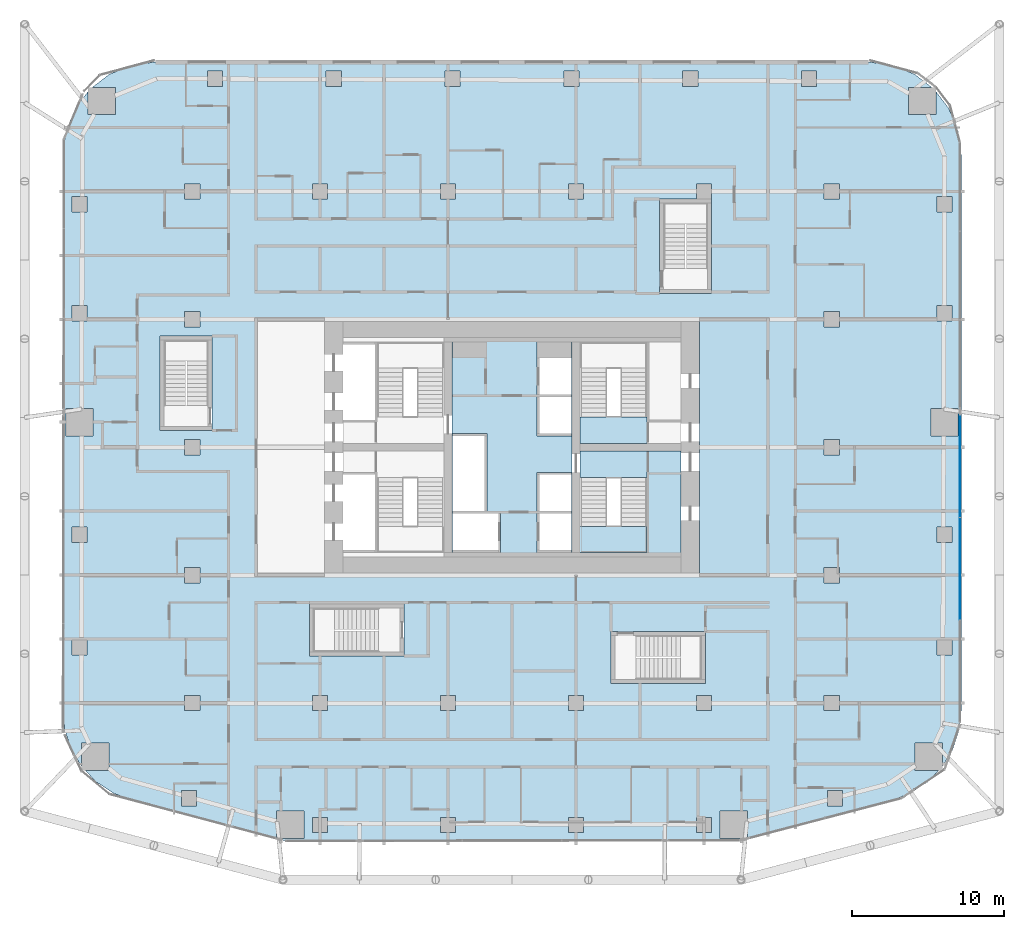
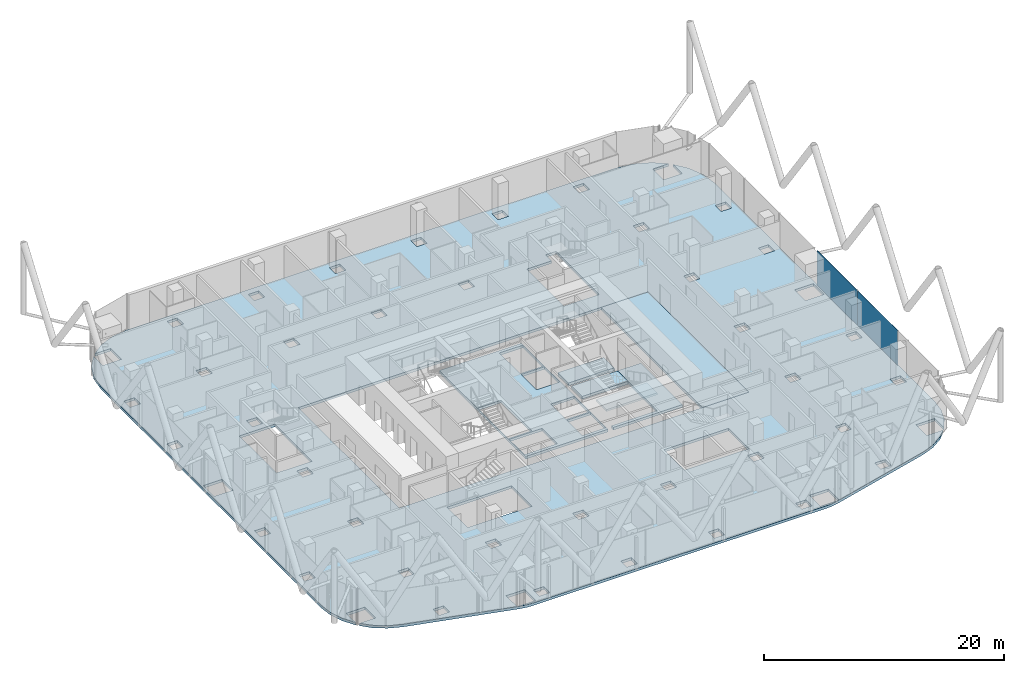
# One storey, part 23 of 38: 7 slabs, 2 plates, 2 elements without a shape of their own.
"""IFC4 building model written with IfcOpenShell, lengths in metres."""

import ifcopenshell
import ifcopenshell.guid

model = None  # the IFC model being written
_history = None  # IfcOwnerHistory: only IFC2X3 demands one
_inside = {}  # id of a spatial element -> (the spatial element, [elements in it])
_under = {}  # id of a project, library or spatial element -> (it, [spatial elements below it])
_declared = {}  # id of a project -> (the project, [libraries it declares])
_typed = {}  # id of a type object -> (the type object, [elements of that type])
_made_of = {}  # id of a material, layer set ... -> (it, [elements and type objects made of it])


def new_model(schema):
    """Start an empty IFC model of exactly this schema.

    Asked for "IFC4X3", IfcOpenShell would pick the latest addendum, in which some entities
    have other attributes; the version numbers below select the first issue.
    IFC2X3 requires an IfcOwnerHistory on every rooted entity: one is made here for all.
    """
    global model, _history
    if schema == "IFC4X3":
        model = ifcopenshell.file(schema_version=(4, 3, 0, 0))
    else:
        model = ifcopenshell.file(schema=schema)
    _inside.clear()
    _under.clear()
    _declared.clear()
    _typed.clear()
    _made_of.clear()
    _history = None
    if model.schema == "IFC2X3":
        org = make("IfcOrganization", Name="unknown")
        user = make(
            "IfcPersonAndOrganization",
            ThePerson=make("IfcPerson", FamilyName="unknown"),
            TheOrganization=org,
        )
        app = make(
            "IfcApplication",
            ApplicationDeveloper=org,
            Version="unknown",
            ApplicationFullName="unknown",
            ApplicationIdentifier="unknown",
        )
        _history = make(
            "IfcOwnerHistory",
            OwningUser=user,
            OwningApplication=app,
            ChangeAction="ADDED",
            CreationDate=0,
        )
    return model


def make(cls, **values):
    """One entity of the class cls with the attributes given. An attribute that is None is left unset."""
    return model.create_entity(
        cls, **{name: value for name, value in values.items() if value is not None}
    )


def rooted(cls, **values):
    """An entity with a GlobalId (a new one), such as an element, a storey or a relation."""
    return make(cls, GlobalId=ifcopenshell.guid.new(), OwnerHistory=_history, **values)


def si_unit(unit_type, name, prefix=None):
    """IfcSIUnit, for example si_unit("LENGTHUNIT", "METRE", prefix="MILLI")."""
    return make("IfcSIUnit", UnitType=unit_type, Prefix=prefix, Name=name)


def assignment(units):
    """IfcUnitAssignment: the units of a project."""
    return None if units is None else make("IfcUnitAssignment", Units=units)


def point(xyz):
    """IfcCartesianPoint."""
    return None if xyz is None else make("IfcCartesianPoint", Coordinates=xyz)


def direction(xyz):
    """IfcDirection."""
    return None if xyz is None else make("IfcDirection", DirectionRatios=xyz)


def frame(location, z_axis=None, x_axis=None):
    """IfcAxis2Placement3D, a coordinate frame: its origin and axes. An axis left out is left unset."""
    return make(
        "IfcAxis2Placement3D",
        Location=point(location),
        Axis=direction(z_axis),
        RefDirection=direction(x_axis),
    )


def frame_2d(location, x_axis=None):
    """IfcAxis2Placement2D, a coordinate frame in the plane: its origin and x axis."""
    return make(
        "IfcAxis2Placement2D", Location=point(location), RefDirection=direction(x_axis)
    )


def origin():
    """The frame at (0, 0, 0) with its axes left unset."""
    return frame((0.0, 0.0, 0.0))


def origin_2d():
    """The frame at (0, 0) in the plane with its x axis left unset."""
    return frame_2d((0.0, 0.0))


def place(relative_to, where):
    """IfcLocalPlacement: puts the frame where relative to a parent placement (None: the world)."""
    return make(
        "IfcLocalPlacement", PlacementRelTo=relative_to, RelativePlacement=where
    )


def context(
    kind, dimensions, precision=None, world=None, true_north=None, identifier=None
):
    """IfcGeometricRepresentationContext, for example the 3D "Model" context."""
    return make(
        "IfcGeometricRepresentationContext",
        ContextIdentifier=identifier,
        ContextType=kind,
        CoordinateSpaceDimension=dimensions,
        Precision=precision,
        WorldCoordinateSystem=world,
        TrueNorth=true_north,
    )


def subcontext(parent, identifier, kind, view, scale=None):
    """IfcGeometricRepresentationSubContext, for example "Body" below "Model"."""
    return make(
        "IfcGeometricRepresentationSubContext",
        ContextIdentifier=identifier,
        ContextType=kind,
        ParentContext=parent,
        TargetScale=scale,
        TargetView=view,
    )


def project(units=None, contexts=None):
    """IfcProject with its units and contexts."""
    return rooted(
        "IfcProject",
        Name="project",
        RepresentationContexts=contexts,
        UnitsInContext=assignment(units),
    )


def spatial(cls, under=None, at=None, **own):
    """A site, building, storey or space (cls), placed at a placement, below another one or the project."""
    s = rooted(cls, ObjectPlacement=at, **own)
    if under is not None:
        _under.setdefault(under.id(), (under, []))[1].append(s)
    return s


def polyline(points):
    """IfcPolyline through the points."""
    return make("IfcPolyline", Points=[point(p) for p in points])


def profile(cls, at=None, kind="AREA", **sizes):
    """A parametric profile (cls). Its sizes go by their IFC names, for example OverallWidth=200.0."""
    return make(cls, ProfileType=kind, Position=at, **sizes)


def rectangle(**sizes):
    """IfcRectangleProfileDef."""
    return profile("IfcRectangleProfileDef", **sizes)


def outline(outer, holes=None, kind="AREA"):
    """IfcArbitraryClosedProfileDef: a profile drawn as a closed curve; with holes, ...WithVoids."""
    if holes is None:
        return make("IfcArbitraryClosedProfileDef", ProfileType=kind, OuterCurve=outer)
    return make(
        "IfcArbitraryProfileDefWithVoids",
        ProfileType=kind,
        OuterCurve=outer,
        InnerCurves=holes,
    )


def extrude(swept, where, along, depth):
    """IfcExtrudedAreaSolid: the profile swept, set in the frame where, extruded along a direction by depth."""
    return make(
        "IfcExtrudedAreaSolid",
        SweptArea=swept,
        Position=where,
        ExtrudedDirection=direction(along),
        Depth=depth,
    )


def shape(context_of_items, identifier, shape_type, items):
    """IfcShapeRepresentation: the items that make up one representation, for example the "Body"."""
    return make(
        "IfcShapeRepresentation",
        ContextOfItems=context_of_items,
        RepresentationIdentifier=identifier,
        RepresentationType=shape_type,
        Items=items,
    )


def material(Name=None, Category=None):
    """IfcMaterial."""
    return make("IfcMaterial", Name=Name, Category=Category)


def layer(
    of_material, thickness, ventilated=None, Name=None, Category=None, Priority=None
):
    """IfcMaterialLayer: one layer of a wall or slab, of a material (None: an air gap)."""
    return make(
        "IfcMaterialLayer",
        Material=of_material,
        LayerThickness=thickness,
        IsVentilated=ventilated,
        Name=Name,
        Category=Category,
        Priority=Priority,
    )


def layer_set(layers, Name=None):
    """IfcMaterialLayerSet."""
    return make("IfcMaterialLayerSet", MaterialLayers=layers, LayerSetName=Name)


def made_of(thing, what):
    """Note that an element or type object is made of a material, layer set ...; save() writes the relation."""
    if what is not None:
        _made_of.setdefault(what.id(), (what, []))[1].append(thing)
    return thing


def type_object(cls, material=None, **own):
    """A type object (cls), such as IfcWallType, which elements share."""
    return made_of(rooted(cls, **own), material)


def element(
    cls,
    number,
    at=None,
    inside=None,
    cuts=None,
    type_object=None,
    material=None,
    context=None,
    identifier="Body",
    shape_type=None,
    held_by="IfcProductDefinitionShape",
    body=None,
    shapes=None,
    **own,
):
    """One element of the class cls, such as IfcWall. Its Tag is "e" and its number.

    at: its placement. inside: the storey or other place that contains it. cuts: it is an
    opening in that element (IfcRelVoidsElement). A single representation is given by context,
    identifier, shape_type and body (its items); several are given by shapes. held_by: the class
    of the entity that holds the representations. save() writes the other relations.
    """
    e = rooted(cls, Tag="e%d" % number, ObjectPlacement=at, **own)
    if body is not None:
        shapes = [shape(context, identifier, shape_type, body)]
    if shapes is not None:
        e.Representation = make(held_by, Representations=shapes)
    if inside is not None:
        _inside.setdefault(inside.id(), (inside, []))[1].append(e)
    if cuts is not None:
        rooted(
            "IfcRelVoidsElement", RelatingBuildingElement=cuts, RelatedOpeningElement=e
        )
    if type_object is not None:
        _typed.setdefault(type_object.id(), (type_object, []))[1].append(e)
    return made_of(e, material)


def aggregate(whole, parts):
    """IfcRelAggregates: a whole, such as a stair, and the parts it consists of."""
    return rooted("IfcRelAggregates", RelatingObject=whole, RelatedObjects=parts)


def save(model, path):
    """Write the relations noted so far, then the file.

    IfcRelAggregates (storeys below a building ...), IfcRelContainedInSpatialStructure (elements
    in a storey), IfcRelDefinesByType, IfcRelAssociatesMaterial and IfcRelDeclares: one each for
    every whole, place, type object, material and project.
    """
    for whole, parts in _under.values():
        aggregate(whole, parts)
    for where, things in _inside.values():
        rooted(
            "IfcRelContainedInSpatialStructure",
            RelatedElements=things,
            RelatingStructure=where,
        )
    for kind, things in _typed.values():
        rooted("IfcRelDefinesByType", RelatedObjects=things, RelatingType=kind)
    for what, things in _made_of.values():
        rooted("IfcRelAssociatesMaterial", RelatedObjects=things, RelatingMaterial=what)
    for by, libraries in _declared.values():
        rooted("IfcRelDeclares", RelatingContext=by, RelatedDefinitions=libraries)
    model.write(path)


model = new_model("IFC4")

# Units and contexts
model_context = context("Model", 3, precision=1e-05, world=origin(), true_north=direction((0.0, 1.0)))
body_context = subcontext(model_context, "Body", "Model", "MODEL_VIEW")
ifc_project = project(units=[si_unit("LENGTHUNIT", "METRE"), si_unit("AREAUNIT", "SQUARE_METRE"), si_unit("VOLUMEUNIT", "CUBIC_METRE"), si_unit("PLANEANGLEUNIT", "RADIAN"), si_unit("MASSUNIT", "GRAM", prefix="KILO")], contexts=[model_context])

# Site, building, storey
site_placement = place(None, origin())
site = spatial("IfcSite", under=ifc_project, at=site_placement, CompositionType="ELEMENT")
building_placement = place(site_placement, origin())
building = spatial("IfcBuilding", under=site, at=building_placement, Name="Marenta Gate Hotel Tower", CompositionType="ELEMENT")
storey_placement = place(building_placement, frame((0.0, 0.0, 54.5)))
storey = spatial("IfcBuildingStorey", under=building, at=storey_placement, Name="L11", CompositionType="ELEMENT", Elevation=54.5)

# Slabs
ifc_material_1 = material(Name="Concrete C35", Category="concrete")
ifc_layer_1 = layer(ifc_material_1, 0.260009765625)
ifc_layer_set_1 = layer_set([ifc_layer_1], Name="Concrete C35")
slab_type_1 = type_object("IfcSlabType", Name="Concrete floor slab 260", PredefinedType="FLOOR", material=ifc_layer_set_1)
slab_1_placement = place(storey_placement, frame((0.0, 0.0, -0.260009765625)))
element("IfcSlab", 1, at=slab_1_placement, inside=storey, type_object=slab_type_1, Name="L11-SL-1", PredefinedType="FLOOR", context=body_context, shape_type="SweptSolid", body=[
    extrude(outline(polyline([(-27.313720703125, -13.56396484375), (-28.015625, -12.8330078125), (-26.462890625, -12.8330078125), (-26.462890625, -11.032958984375), (-28.262939453125, -11.032958984375), (-28.262939453125, -12.55859375), (-28.927001953125, -11.467041015625), (-29.35546875, -10.20703125), (-29.5, -8.889892578125), (-29.5, 27.6064453125), (-29.29296875, 29.178955078125), (-28.68359375, 30.650390625), (-27.83544921875, 31.755615234375), (-27.83544921875, 30.235595703125), (-26.035400390625, 30.235595703125), (-26.035400390625, 32.035400390625), (-27.555419921875, 32.035400390625), (-26.450439453125, 32.883544921875), (-24.97900390625, 33.492919921875), (-23.406494140625, 33.699951171875), (23.406494140625, 33.699951171875), (24.97900390625, 33.492919921875), (26.450439453125, 32.883544921875), (27.555419921875, 32.035400390625), (26.035400390625, 32.035400390625), (26.035400390625, 30.235595703125), (27.83544921875, 30.235595703125), (27.83544921875, 31.755615234375), (28.68359375, 30.650390625), (29.29296875, 29.178955078125), (29.5, 27.6064453125), (29.5, -8.889892578125), (29.35546875, -10.20703125), (28.927001953125, -11.467041015625), (28.262939453125, -12.55859375), (28.262939453125, -11.032958984375), (26.462890625, -11.032958984375), (26.462890625, -12.8330078125), (28.015625, -12.8330078125), (27.313720703125, -13.56396484375), (26.205810546875, -14.30126953125), (24.969482421875, -14.77880859375), (15.2265625, -17.36376953125), (14.70849609375, -17.4658203125), (14.181640625, -17.5), (-14.181640625, -17.5), (-14.70849609375, -17.4658203125), (-15.2265625, -17.36376953125), (-24.969482421875, -14.77880859375), (-26.205810546875, -14.30126953125), (-27.313720703125, -13.56396484375)]), holes=[polyline([(-16.800048828125, 0.0), (16.800048828125, 0.0), (16.800048828125, 16.800048828125), (-16.800048828125, 16.800048828125), (-16.800048828125, 0.0)]), polyline([(-13.666259765625, -15.474853515625), (-15.46630859375, -15.474853515625), (-15.46630859375, -17.27490234375), (-13.666259765625, -17.27490234375), (-13.666259765625, -15.474853515625)]), polyline([(-20.706787109375, -14.13916015625), (-21.706787109375, -14.13916015625), (-21.706787109375, -15.13916015625), (-20.706787109375, -15.13916015625), (-20.706787109375, -14.13916015625)]), polyline([(-20.5, -8.89990234375), (-20.5, -7.89990234375), (-21.5, -7.89990234375), (-21.5, -8.89990234375), (-20.5, -8.89990234375)]), polyline([(-12.10009765625, -8.89990234375), (-12.10009765625, -7.89990234375), (-13.10009765625, -7.89990234375), (-13.10009765625, -8.89990234375), (-12.10009765625, -8.89990234375)]), polyline([(-27.89990234375, -4.251953125), (-28.89990234375, -4.251953125), (-28.89990234375, -5.251953125), (-27.89990234375, -5.251953125), (-27.89990234375, -4.251953125)]), polyline([(-20.5, -0.5), (-20.5, 0.5), (-21.5, 0.5), (-21.5, -0.5), (-20.5, -0.5)]), polyline([(-27.89990234375, 2.149169921875), (-27.89990234375, 3.149169921875), (-28.89990234375, 3.149169921875), (-28.89990234375, 2.149169921875), (-27.89990234375, 2.149169921875)]), polyline([(-20.5, 8.89990234375), (-21.5, 8.89990234375), (-21.5, 7.89990234375), (-20.5, 7.89990234375), (-20.5, 8.89990234375)]), polyline([(-27.5, 9.14990234375), (-27.5, 10.949951171875), (-29.300048828125, 10.949951171875), (-29.300048828125, 9.14990234375), (-27.5, 9.14990234375)]), polyline([(-20.5, 16.300048828125), (-20.5, 17.300048828125), (-21.5, 17.300048828125), (-21.5, 16.300048828125), (-20.5, 16.300048828125)]), polyline([(-27.89990234375, 17.703125), (-28.89990234375, 17.703125), (-28.89990234375, 16.703125), (-27.89990234375, 16.703125), (-27.89990234375, 17.703125)]), polyline([(-27.89990234375, 23.8564453125), (-27.89990234375, 24.8564453125), (-28.89990234375, 24.8564453125), (-28.89990234375, 23.8564453125), (-27.89990234375, 23.8564453125)]), polyline([(-20.5, 24.699951171875), (-20.5, 25.699951171875), (-21.5, 25.699951171875), (-21.5, 24.699951171875), (-20.5, 24.699951171875)]), polyline([(-19.0068359375, 32.10009765625), (-19.0068359375, 33.10009765625), (-20.0068359375, 33.10009765625), (-20.0068359375, 32.10009765625), (-19.0068359375, 32.10009765625)]), polyline([(-12.10009765625, -16.89990234375), (-12.10009765625, -15.89990234375), (-13.10009765625, -15.89990234375), (-13.10009765625, -16.89990234375), (-12.10009765625, -16.89990234375)]), polyline([(-3.699951171875, -15.89990234375), (-4.699951171875, -15.89990234375), (-4.699951171875, -16.89990234375), (-3.699951171875, -16.89990234375), (-3.699951171875, -15.89990234375)]), polyline([(4.699951171875, -16.89990234375), (4.699951171875, -15.89990234375), (3.699951171875, -15.89990234375), (3.699951171875, -16.89990234375), (4.699951171875, -16.89990234375)]), polyline([(13.10009765625, -16.89990234375), (13.10009765625, -15.89990234375), (12.10009765625, -15.89990234375), (12.10009765625, -16.89990234375), (13.10009765625, -16.89990234375)]), polyline([(15.46630859375, -15.474853515625), (13.666259765625, -15.474853515625), (13.666259765625, -17.27490234375), (15.46630859375, -17.27490234375), (15.46630859375, -15.474853515625)]), polyline([(-3.699951171875, -8.89990234375), (-3.699951171875, -7.89990234375), (-4.699951171875, -7.89990234375), (-4.699951171875, -8.89990234375), (-3.699951171875, -8.89990234375)]), polyline([(4.699951171875, -8.89990234375), (4.699951171875, -7.89990234375), (3.699951171875, -7.89990234375), (3.699951171875, -8.89990234375), (4.699951171875, -8.89990234375)]), polyline([(13.10009765625, -7.89990234375), (12.10009765625, -7.89990234375), (12.10009765625, -8.89990234375), (13.10009765625, -8.89990234375), (13.10009765625, -7.89990234375)]), polyline([(-12.10009765625, 25.699951171875), (-13.10009765625, 25.699951171875), (-13.10009765625, 24.699951171875), (-12.10009765625, 24.699951171875), (-12.10009765625, 25.699951171875)]), polyline([(-3.699951171875, 25.699951171875), (-4.699951171875, 25.699951171875), (-4.699951171875, 24.699951171875), (-3.699951171875, 24.699951171875), (-3.699951171875, 25.699951171875)]), polyline([(4.699951171875, 24.699951171875), (4.699951171875, 25.699951171875), (3.699951171875, 25.699951171875), (3.699951171875, 24.699951171875), (4.699951171875, 24.699951171875)]), polyline([(13.10009765625, 25.699951171875), (12.10009765625, 25.699951171875), (12.10009765625, 24.699951171875), (9.699951171875, 24.699951171875), (9.699951171875, 18.5), (13.10009765625, 18.5), (13.10009765625, 25.699951171875)]), polyline([(-11.2041015625, 33.10009765625), (-12.2041015625, 33.10009765625), (-12.2041015625, 32.10009765625), (-11.2041015625, 32.10009765625), (-11.2041015625, 33.10009765625)]), polyline([(-3.4013671875, 32.10009765625), (-3.4013671875, 33.10009765625), (-4.4013671875, 33.10009765625), (-4.4013671875, 32.10009765625), (-3.4013671875, 32.10009765625)]), polyline([(4.4013671875, 32.10009765625), (4.4013671875, 33.10009765625), (3.4013671875, 33.10009765625), (3.4013671875, 32.10009765625), (4.4013671875, 32.10009765625)]), polyline([(12.2041015625, 33.10009765625), (11.2041015625, 33.10009765625), (11.2041015625, 32.10009765625), (12.2041015625, 32.10009765625), (12.2041015625, 33.10009765625)]), polyline([(21.706787109375, -15.13916015625), (21.706787109375, -14.13916015625), (20.706787109375, -14.13916015625), (20.706787109375, -15.13916015625), (21.706787109375, -15.13916015625)]), polyline([(21.5, -7.89990234375), (20.5, -7.89990234375), (20.5, -8.89990234375), (21.5, -8.89990234375), (21.5, -7.89990234375)]), polyline([(28.89990234375, -5.251953125), (28.89990234375, -4.251953125), (27.89990234375, -4.251953125), (27.89990234375, -5.251953125), (28.89990234375, -5.251953125)]), polyline([(21.5, -0.5), (21.5, 0.5), (20.5, 0.5), (20.5, -0.5), (21.5, -0.5)]), polyline([(28.89990234375, 3.149169921875), (27.89990234375, 3.149169921875), (27.89990234375, 2.149169921875), (28.89990234375, 2.149169921875), (28.89990234375, 3.149169921875)]), polyline([(21.5, 7.89990234375), (21.5, 8.89990234375), (20.5, 8.89990234375), (20.5, 7.89990234375), (21.5, 7.89990234375)]), polyline([(29.300048828125, 9.14990234375), (29.300048828125, 10.949951171875), (27.5, 10.949951171875), (27.5, 9.14990234375), (29.300048828125, 9.14990234375)]), polyline([(21.5, 17.300048828125), (20.5, 17.300048828125), (20.5, 16.300048828125), (21.5, 16.300048828125), (21.5, 17.300048828125)]), polyline([(28.89990234375, 16.703125), (28.89990234375, 17.703125), (27.89990234375, 17.703125), (27.89990234375, 16.703125), (28.89990234375, 16.703125)]), polyline([(28.89990234375, 23.8564453125), (28.89990234375, 24.8564453125), (27.89990234375, 24.8564453125), (27.89990234375, 23.8564453125), (28.89990234375, 23.8564453125)]), polyline([(21.5, 25.699951171875), (20.5, 25.699951171875), (20.5, 24.699951171875), (21.5, 24.699951171875), (21.5, 25.699951171875)]), polyline([(20.0068359375, 32.10009765625), (20.0068359375, 33.10009765625), (19.0068359375, 33.10009765625), (19.0068359375, 32.10009765625), (20.0068359375, 32.10009765625)]), polyline([(6.5, -7.10009765625), (12.699951171875, -7.10009765625), (12.699951171875, -3.699951171875), (6.5, -3.699951171875), (6.5, -7.10009765625)]), polyline([(-13.300048828125, -5.300048828125), (-7.10009765625, -5.300048828125), (-7.10009765625, -1.89990234375), (-13.300048828125, -1.89990234375), (-13.300048828125, -5.300048828125)]), polyline([(-23.10009765625, 9.5), (-19.699951171875, 9.5), (-19.699951171875, 15.699951171875), (-23.10009765625, 15.699951171875), (-23.10009765625, 9.5)])]), origin(), (0.0, 0.0, 1.0), 0.260009765625),
])
ifc_material_2 = material(Name="Concrete C40", Category="concrete")
ifc_layer_2 = layer(ifc_material_2, 0.260009765625)
ifc_layer_set_2 = layer_set([ifc_layer_2], Name="Concrete C40")
slab_type_2 = type_object("IfcSlabType", Name="Core floor slab 260", PredefinedType="FLOOR", material=ifc_layer_set_2)
slab_2_placement = place(storey_placement, frame((0.0, 0.0, -0.260009765625)))
element("IfcSlab", 2, at=slab_2_placement, inside=storey, type_object=slab_type_2, Name="L11-CF-1", PredefinedType="FLOOR", context=body_context, shape_type="SweptSolid", body=[
    extrude(outline(polyline([(12.300048828125, 0.0), (12.300048828125, 16.800048828125), (16.800048828125, 16.800048828125), (16.800048828125, 0.0), (12.300048828125, 0.0)])), origin(), (0.0, 0.0, 1.0), 0.260009765625),
])
slab_3_placement = place(storey_placement, frame((0.0, 0.0, -0.260009765625)))
element("IfcSlab", 3, at=slab_3_placement, inside=storey, type_object=slab_type_2, Name="L11-CF-2", PredefinedType="FLOOR", context=body_context, shape_type="SweptSolid", body=[
    extrude(outline(polyline([(8.85009765625, 1.5), (8.85009765625, 6.39990234375), (8.85009765625, 8.10009765625), (8.85009765625, 8.14990234375), (11.10009765625, 8.14990234375), (11.10009765625, 1.199951171875), (4.449951171875, 1.199951171875), (4.449951171875, 1.5), (8.85009765625, 1.5)])), origin(), (0.0, 0.0, 1.0), 0.260009765625),
])
slab_4_placement = place(storey_placement, frame((0.0, 0.0, -0.260009765625)))
element("IfcSlab", 4, at=slab_4_placement, inside=storey, type_object=slab_type_2, Name="L11-CF-4", PredefinedType="FLOOR", context=body_context, shape_type="SweptSolid", body=[
    extrude(outline(polyline([(3.949951171875, 15.300048828125), (3.949951171875, 10.39990234375), (3.949951171875, 6.39990234375), (3.949951171875, 1.5), (3.949951171875, 1.199951171875), (-3.949951171875, 1.199951171875), (-3.949951171875, 1.5), (-3.949951171875, 6.39990234375), (-3.949951171875, 10.39990234375), (-3.949951171875, 15.300048828125), (-3.949951171875, 15.60009765625), (3.949951171875, 15.60009765625), (3.949951171875, 15.300048828125)]), holes=[polyline([(1.64990234375, 4.050048828125), (1.64990234375, 1.64990234375), (1.64990234375, 1.5), (3.89990234375, 1.5), (3.89990234375, 1.64990234375), (3.89990234375, 4.050048828125), (1.800048828125, 4.050048828125), (1.64990234375, 4.050048828125)]), polyline([(1.64990234375, 9.14990234375), (3.89990234375, 9.14990234375), (3.89990234375, 9.300048828125), (3.89990234375, 11.699951171875), (1.800048828125, 11.699951171875), (1.64990234375, 11.699951171875), (1.64990234375, 9.300048828125), (1.64990234375, 9.14990234375)]), polyline([(1.64990234375, 11.85009765625), (1.800048828125, 11.85009765625), (3.89990234375, 11.85009765625), (3.89990234375, 14.25), (3.89990234375, 15.300048828125), (1.64990234375, 15.300048828125), (1.64990234375, 14.25), (1.64990234375, 11.85009765625)]), polyline([(3.89990234375, 6.60009765625), (3.89990234375, 6.75), (1.64990234375, 6.75), (1.64990234375, 6.60009765625), (1.64990234375, 4.199951171875), (1.800048828125, 4.199951171875), (3.89990234375, 4.199951171875), (3.89990234375, 6.60009765625)]), polyline([(-3.89990234375, 1.5), (-0.89990234375, 1.5), (-0.75, 1.5), (-0.75, 4.050048828125), (-0.89990234375, 4.050048828125), (-3.89990234375, 4.050048828125), (-3.89990234375, 1.64990234375), (-3.89990234375, 1.5)]), polyline([(-1.64990234375, 4.199951171875), (-1.64990234375, 9.14990234375), (-1.64990234375, 9.300048828125), (-3.89990234375, 9.300048828125), (-3.89990234375, 9.14990234375), (-3.89990234375, 6.75), (-3.89990234375, 6.60009765625), (-3.89990234375, 4.199951171875), (-1.800048828125, 4.199951171875), (-1.64990234375, 4.199951171875)])]), origin(), (0.0, 0.0, 1.0), 0.260009765625),
])

# Stair, slab
ifc_material_3 = material(Name="Concrete C40", Category="concrete")
stair_type = type_object("IfcStairType", Name="Core exit stair 1700 wide", PredefinedType="HALF_TURN_STAIR", material=ifc_material_3)
stair_placement = place(storey_placement, origin())
stair = element("IfcStair", 5, at=stair_placement, inside=storey, type_object=stair_type, Name="Exit stair 3", PredefinedType="HALF_TURN_STAIR")
ifc_material_4 = material(Name="Concrete C40", Category="concrete")
ifc_layer_3 = layer(ifc_material_4, 0.199951171875)
ifc_layer_set_3 = layer_set([ifc_layer_3], Name="Concrete C40")
slab_type_3 = type_object("IfcSlabType", Name="Core stair landing 200", PredefinedType="LANDING", material=ifc_layer_set_3)
slab_5_placement = place(storey_placement, frame((0.0, 0.0, 1.60009765625)))
slab_5 = element("IfcSlab", 6, at=slab_5_placement, type_object=slab_type_3, Name="SL-200 ST3 landing 1", PredefinedType="LANDING", context=body_context, shape_type="SweptSolid", body=[
    extrude(outline(polyline([(3.949951171875, 1.5), (8.85009765625, 1.5), (8.85009765625, 3.2099609375), (3.949951171875, 3.2099609375), (3.949951171875, 1.5)])), origin(), (0.0, 0.0, 1.0), 0.199951171875),
])
aggregate(stair, [slab_5])

# Curtain wall, plates
ifc_material_5 = material(Name="Tinted insulated glass in bronze anodised frame", Category="glass")
ifc_layer_4 = layer(ifc_material_5, 0.1201171875)
ifc_layer_set_4 = layer_set([ifc_layer_4], Name="Tinted insulated glass in bronze anodised frame")
curtain_wall_type = type_object("IfcCurtainWallType", Name="Tower unitised curtain wall CW1", PredefinedType="NOTDEFINED", material=ifc_layer_set_4)
curtain_wall_placement = place(storey_placement, origin())
curtain_wall = element("IfcCurtainWall", 7, at=curtain_wall_placement, inside=storey, type_object=curtain_wall_type, Name="CW1 run G32", PredefinedType="NOTDEFINED")
ifc_material_6 = material(Name="Tinted insulated glass", Category="glass")
ifc_layer_5 = layer(ifc_material_6, 0.028076171875)
ifc_layer_set_5 = layer_set([ifc_layer_5], Name="Tinted insulated glass")
plate_type = type_object("IfcPlateType", Name="Glass panel CW1 28 mm tinted insulated unit", PredefinedType="CURTAIN_PANEL", material=ifc_layer_set_5)
plate_1_placement = place(storey_placement, frame((29.4140625, 0.421142578125, 0.06005859375), z_axis=(0.0, 0.0, 1.0), x_axis=(0.0, 1.0, 0.0)))
plate_1 = element("IfcPlate", 8, at=plate_1_placement, type_object=plate_type, Name="CW1 panel 2.1", PredefinedType="CURTAIN_PANEL", context=body_context, shape_type="SweptSolid", body=[
    extrude(rectangle(XDim=6.670654296875, YDim=0.028076171875, at=origin_2d()), origin(), (0.0, 0.0, 1.0), 3.5400390625),
])
plate_2_placement = place(storey_placement, frame((29.4140625, 7.166748046875, 0.06005859375), z_axis=(0.0, 0.0, 1.0), x_axis=(0.0, 1.0, 0.0)))
plate_2 = element("IfcPlate", 9, at=plate_2_placement, type_object=plate_type, Name="CW1 panel 3.1", PredefinedType="CURTAIN_PANEL", context=body_context, shape_type="SweptSolid", body=[
    extrude(rectangle(XDim=6.70068359375, YDim=0.028076171875, at=origin_2d()), origin(), (0.0, 0.0, 1.0), 3.5400390625),
])
aggregate(curtain_wall, [plate_1, plate_2])

# Slabs
ifc_material_7 = material(Name="Concrete C40", Category="concrete")
ifc_layer_6 = layer(ifc_material_7, 0.300048828125)
ifc_layer_set_6 = layer_set([ifc_layer_6], Name="Concrete C40")
slab_type_4 = type_object("IfcSlabType", Name="Stair floor landing slab 300", PredefinedType="FLOOR", material=ifc_layer_set_6)
slab_6_placement = place(storey_placement, frame((0.0, 0.0, -0.300048828125)))
element("IfcSlab", 10, at=slab_6_placement, inside=storey, type_object=slab_type_4, Name="L11-CL-ST3-1", PredefinedType="FLOOR", context=body_context, shape_type="SweptSolid", body=[
    extrude(outline(polyline([(4.449951171875, 6.39990234375), (4.449951171875, 8.14990234375), (8.85009765625, 8.14990234375), (8.85009765625, 8.10009765625), (8.85009765625, 6.39990234375), (4.449951171875, 6.39990234375)])), origin(), (0.0, 0.0, 1.0), 0.300048828125),
])
slab_7_placement = place(storey_placement, frame((0.0, 0.0, -0.300048828125)))
element("IfcSlab", 11, at=slab_7_placement, inside=storey, type_object=slab_type_4, Name="L11-CL-ST4-1", PredefinedType="FLOOR", context=body_context, shape_type="SweptSolid", body=[
    extrude(outline(polyline([(4.449951171875, 8.64990234375), (4.449951171875, 10.39990234375), (8.85009765625, 10.39990234375), (8.85009765625, 8.699951171875), (8.85009765625, 8.64990234375), (4.449951171875, 8.64990234375)])), origin(), (0.0, 0.0, 1.0), 0.300048828125),
])

save(model, "model.ifc")
